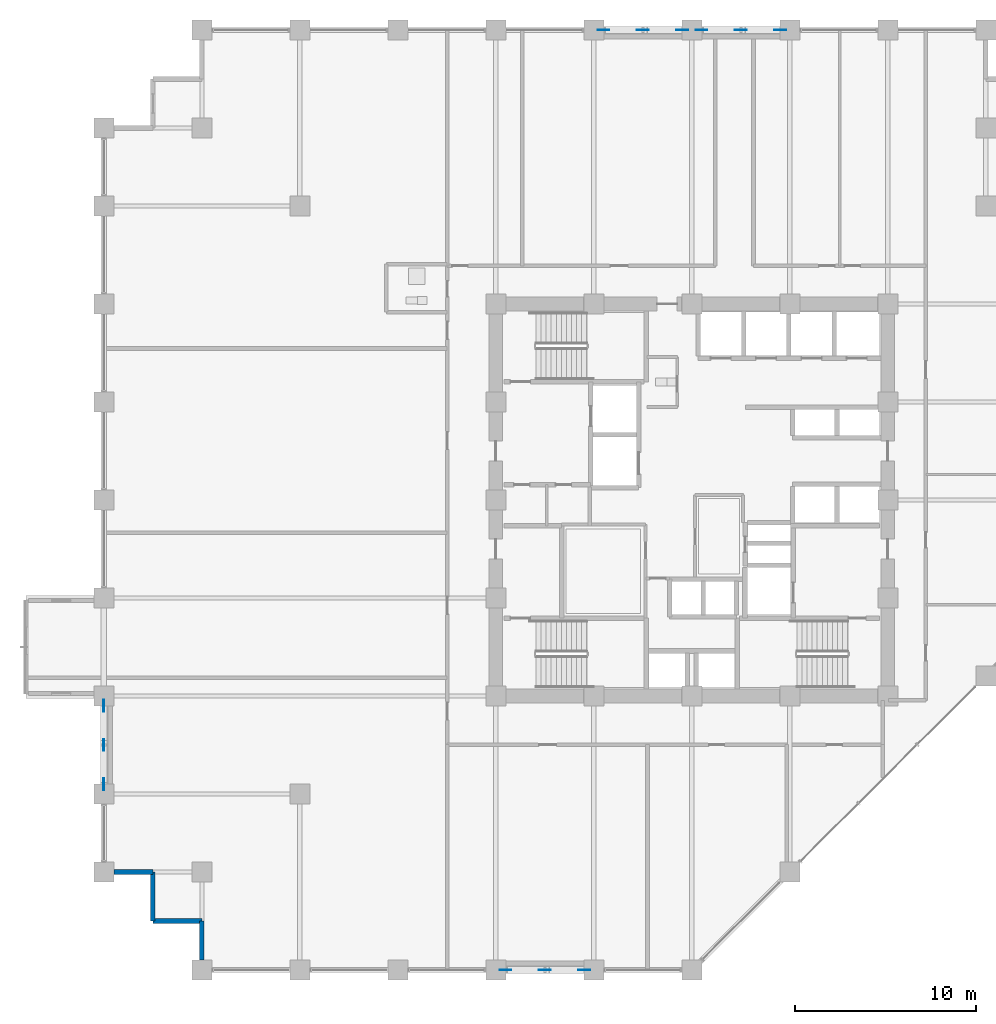
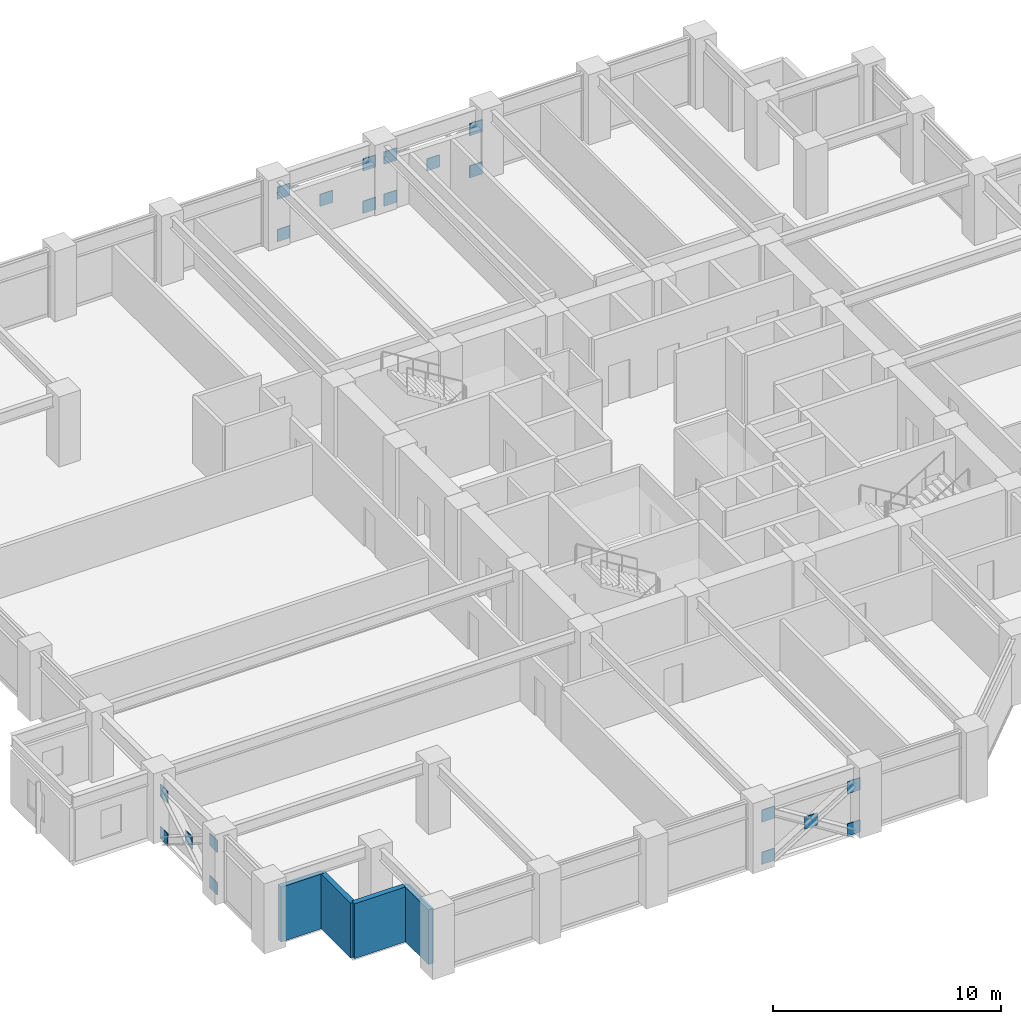
# One storey, part 21 of 29: 20 plates, 4 walls.
"""IFC4 building model written with IfcOpenShell, lengths in metres."""

from ifc_helpers import new_model, si_unit, direction, frame, frame_2d, origin, origin_2d, place, context, subcontext, project, spatial, rectangle, extrude, material, layer, layer_set, type_object, element, save


model = new_model("IFC4")

# Units and contexts
model_context = context("Model", 3, precision=1e-05, world=origin(), true_north=direction((0.0, 1.0)))
body_context = subcontext(model_context, "Body", "Model", "MODEL_VIEW")
ifc_project = project(units=[si_unit("LENGTHUNIT", "METRE"), si_unit("AREAUNIT", "SQUARE_METRE"), si_unit("VOLUMEUNIT", "CUBIC_METRE"), si_unit("PLANEANGLEUNIT", "RADIAN"), si_unit("MASSUNIT", "GRAM", prefix="KILO")], contexts=[model_context])

# Site, building, storey
site_placement = place(None, origin())
site = spatial("IfcSite", under=ifc_project, at=site_placement, CompositionType="ELEMENT")
building_placement = place(site_placement, origin())
building = spatial("IfcBuilding", under=site, at=building_placement, Name="Surkhivell Harbour Commons", CompositionType="ELEMENT")
storey_placement = place(building_placement, frame((0.0, 0.0, 87.0)))
storey = spatial("IfcBuildingStorey", under=building, at=storey_placement, Name="L22", CompositionType="ELEMENT", Elevation=87.0)

# Plates
ifc_material_1 = material(Name="Steel S460", Category="steel")
ifc_layer_1 = layer(ifc_material_1, 0.044921875)
ifc_layer_set_1 = layer_set([ifc_layer_1], Name="Steel S460")
plate_type = type_object("IfcPlateType", Name="PLT-GUS-650", PredefinedType="USERDEFINED", material=ifc_layer_set_1)
for number, where, z_axis, x_axis, name in (
    (1, (-4.864990234375, 25.89990234375, -0.08935546875), (0.0, 0.0, 1.0), (1.0, 0.0, 0.0), "L22 Perimeter Mega-Brace MB- Corner Gusset N-1"),
    (2, (-0.534912109375, 25.89990234375, -0.08935546875), (0.0, 0.0, 1.0), (1.0, 0.0, 0.0), "L22 Perimeter Mega-Brace MB- Corner Gusset N-2"),
    (3, (-4.864990234375, 25.89990234375, 2.170654296875), (0.0, 0.0, 1.0), (1.0, 0.0, 0.0), "L22 Perimeter Mega-Brace MB- Corner Gusset N-3"),
    (4, (-0.534912109375, 25.89990234375, 2.170654296875), (0.0, 0.0, 1.0), (1.0, 0.0, 0.0), "L22 Perimeter Mega-Brace MB- Corner Gusset N-4"),
    (5, (-2.699951171875, 25.89990234375, 1.04052734375), (0.0, 0.0, 1.0), (1.0, 0.0, 0.0), "L22 Perimeter Mega-Brace MB- Central Crossing Gusset N"),
    (6, (0.534912109375, 25.89990234375, -0.08935546875), (0.0, 0.0, 1.0), (1.0, 0.0, 0.0), "L22 Perimeter Mega-Brace MB- Corner Gusset N2-1"),
    (7, (4.864990234375, 25.89990234375, -0.08935546875), (0.0, 0.0, 1.0), (1.0, 0.0, 0.0), "L22 Perimeter Mega-Brace MB- Corner Gusset N2-2"),
    (8, (0.534912109375, 25.89990234375, 2.170654296875), (0.0, 0.0, 1.0), (1.0, 0.0, 0.0), "L22 Perimeter Mega-Brace MB- Corner Gusset N2-3"),
    (9, (4.864990234375, 25.89990234375, 2.170654296875), (0.0, 0.0, 1.0), (1.0, 0.0, 0.0), "L22 Perimeter Mega-Brace MB- Corner Gusset N2-4"),
    (10, (2.699951171875, 25.89990234375, 1.04052734375), (0.0, 0.0, 1.0), (1.0, 0.0, 0.0), "L22 Perimeter Mega-Brace MB- Central Crossing Gusset N2"),
    (11, (-10.264892578125, -25.89990234375, -0.08935546875), (0.0, 0.0, 1.0), (1.0, 0.0, 0.0), "L22 Perimeter Mega-Brace MB- Corner Gusset S-1"),
    (12, (-5.93505859375, -25.89990234375, -0.08935546875), (0.0, 0.0, 1.0), (1.0, 0.0, 0.0), "L22 Perimeter Mega-Brace MB- Corner Gusset S-2"),
    (13, (-10.264892578125, -25.89990234375, 2.170654296875), (0.0, 0.0, 1.0), (1.0, 0.0, 0.0), "L22 Perimeter Mega-Brace MB- Corner Gusset S-3"),
    (14, (-5.93505859375, -25.89990234375, 2.170654296875), (0.0, 0.0, 1.0), (1.0, 0.0, 0.0), "L22 Perimeter Mega-Brace MB- Corner Gusset S-4"),
    (15, (-8.10009765625, -25.89990234375, 1.04052734375), (0.0, 0.0, 1.0), (1.0, 0.0, 0.0), "L22 Perimeter Mega-Brace MB- Central Crossing Gusset S"),
    (16, (-32.39990234375, -15.6650390625, -0.08935546875), (0.0, 0.0, 1.0), (0.0, 1.0, 0.0), "L22 Perimeter Mega-Brace MB- Corner Gusset W-1"),
    (17, (-32.39990234375, -11.3349609375, -0.08935546875), (0.0, 0.0, 1.0), (0.0, 1.0, 0.0), "L22 Perimeter Mega-Brace MB- Corner Gusset W-2"),
    (18, (-32.39990234375, -15.6650390625, 2.170654296875), (0.0, 0.0, 1.0), (0.0, 1.0, 0.0), "L22 Perimeter Mega-Brace MB- Corner Gusset W-3"),
    (19, (-32.39990234375, -11.3349609375, 2.170654296875), (0.0, 0.0, 1.0), (0.0, 1.0, 0.0), "L22 Perimeter Mega-Brace MB- Corner Gusset W-4"),
    (20, (-32.39990234375, -13.5, 1.04052734375), (0.0, 0.0, 1.0), (0.0, 1.0, 0.0), "L22 Perimeter Mega-Brace MB- Central Crossing Gusset W"),
):
    element("IfcPlate", number, at=place(storey_placement, frame(where, z_axis=z_axis, x_axis=x_axis)), inside=storey, type_object=plate_type, Name=name, ObjectType="GUSSET_PLATE", PredefinedType="USERDEFINED", context=body_context, shape_type="SweptSolid", body=[
        extrude(rectangle(XDim=0.64990234375, YDim=0.044921875, at=origin_2d()), origin(), (0.0, 0.0, 1.0), 0.64990234375),
    ])

# Walls
ifc_material_2 = material(Name="Pale-metal insulated precast concrete C45/55", Category="concrete")
ifc_layer_2 = layer(ifc_material_2, 0.260009765625)
ifc_layer_set_2 = layer_set([ifc_layer_2], Name="Pale-metal insulated precast concrete C45/55")
wall_type = type_object("IfcWallType", Name="WAL-EXT-MTL260", PredefinedType="STANDARD", material=ifc_layer_set_2)
wall_1_placement = place(storey_placement, frame((-31.85205078125, -20.5, 0.0), z_axis=(0.0, 0.0, 1.0), x_axis=(1.0, 0.0, 0.0)))
element("IfcWall", 21, at=wall_1_placement, inside=storey, type_object=wall_type, Name="L22 Serrated Corner Facade Wall 13", PredefinedType="STANDARD", context=body_context, shape_type="SweptSolid", body=[
    extrude(rectangle(XDim=2.152099609375, YDim=0.260009765625, at=frame_2d((1.076171875, 0.0))), origin(), (0.0, 0.0, 1.0), 2.93310546875),
])
for number, where, z_axis, x_axis, name in (
    (22, (-29.699951171875, -20.5, 0.0), (0.0, 0.0, 1.0), (0.0, -1.0, 0.0), "L22 Serrated Corner Facade Wall 14"),
    (23, (-29.699951171875, -23.199951171875, 0.0), (0.0, 0.0, 1.0), (1.0, 0.0, 0.0), "L22 Serrated Corner Facade Wall 15"),
):
    element("IfcWall", number, at=place(storey_placement, frame(where, z_axis=z_axis, x_axis=x_axis)), inside=storey, type_object=wall_type, Name=name, PredefinedType="STANDARD", context=body_context, shape_type="SweptSolid", body=[
        extrude(rectangle(XDim=2.699951171875, YDim=0.260009765625, at=frame_2d((1.35009765625, 0.0))), origin(), (0.0, 0.0, 1.0), 2.93310546875),
    ])
wall_2_placement = place(storey_placement, frame((-27.0, -23.199951171875, 0.0), z_axis=(0.0, 0.0, 1.0), x_axis=(0.0, -1.0, 0.0)))
element("IfcWall", 24, at=wall_2_placement, inside=storey, type_object=wall_type, Name="L22 Serrated Corner Facade Wall 16", PredefinedType="STANDARD", context=body_context, shape_type="SweptSolid", body=[
    extrude(rectangle(XDim=2.152099609375, YDim=0.260009765625, at=frame_2d((1.076171875, 0.0))), origin(), (0.0, 0.0, 1.0), 2.93310546875),
])

save(model, "model.ifc")
